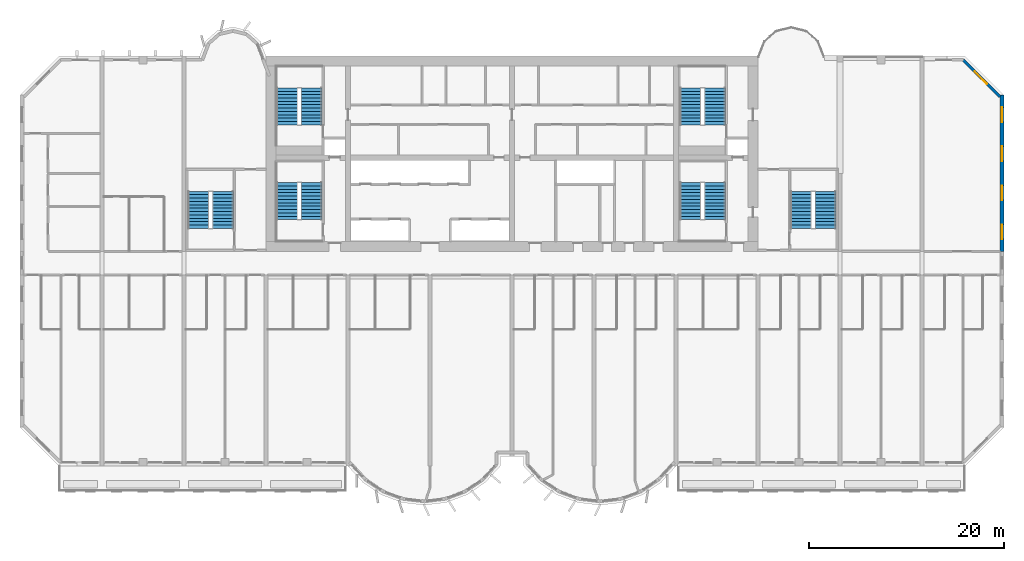
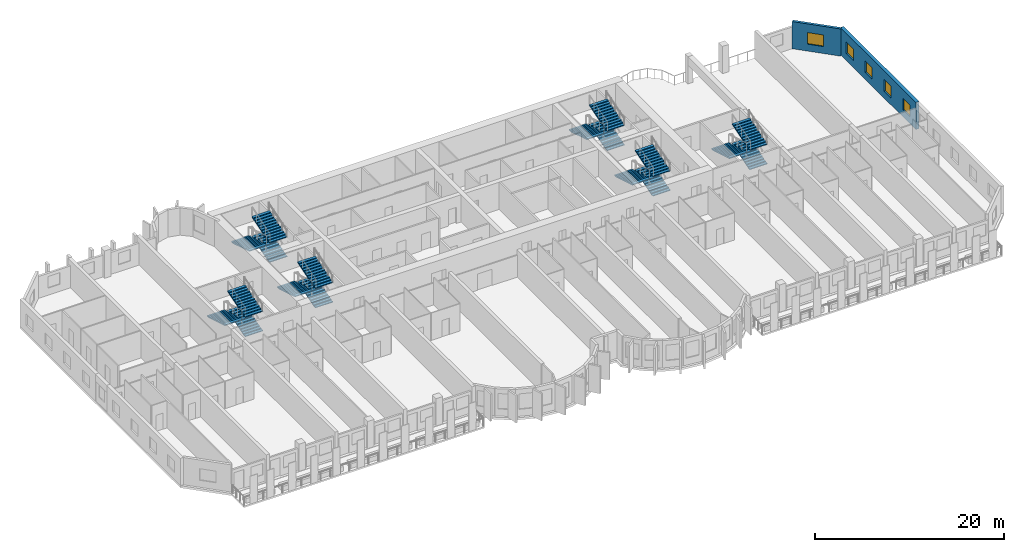
# One storey, part 11 of 14: 18 stair flights, 5 windows, 2 walls, 5 openings, 6 elements without a shape of their own.
"""IFC4 building model written with IfcOpenShell, lengths in metres."""

from ifc_helpers import new_model, si_unit, direction, frame, frame_2d, origin, place, context, subcontext, project, spatial, polyline, rectangle, outline, extrude, source, transform, mapped, material, layer, layer_set, type_object, element, fill, aggregate, save


model = new_model("IFC4")

# Units and contexts
model_context = context("Model", 3, precision=1e-05, world=origin(), true_north=direction((0.0, 1.0)))
body_context = subcontext(model_context, "Body", "Model", "MODEL_VIEW")
ifc_project = project(units=[si_unit("LENGTHUNIT", "METRE"), si_unit("AREAUNIT", "SQUARE_METRE"), si_unit("VOLUMEUNIT", "CUBIC_METRE"), si_unit("PLANEANGLEUNIT", "RADIAN"), si_unit("MASSUNIT", "GRAM", prefix="KILO")], contexts=[model_context])

# Site, building, storey
site_placement = place(None, origin())
site = spatial("IfcSite", under=ifc_project, at=site_placement, CompositionType="ELEMENT")
building_placement = place(site_placement, origin())
building = spatial("IfcBuilding", under=site, at=building_placement, Name="Vanashikhar Sky Hotel", CompositionType="ELEMENT")
storey_placement = place(building_placement, frame((0.0, 0.0, 58.199951171875)))
storey = spatial("IfcBuildingStorey", under=building, at=storey_placement, Name="L13", CompositionType="ELEMENT", Elevation=58.199951171875)

# Wall, openings, windows
ifc_material_1 = material(Name="Concrete M80", Category="concrete")
ifc_layer_1 = layer(ifc_material_1, 0.39990234375)
ifc_layer_set_1 = layer_set([ifc_layer_1], Name="RC shear wall 400 Concrete M80")
wall_type_1 = type_object("IfcWallType", Name="RC shear wall 400 Concrete M80", PredefinedType="SHEAR", material=ifc_layer_set_1)
shared_shape_1 = source(origin(), body_context, "Body", "SweptSolid", [
    extrude(rectangle(XDim=16.0, YDim=0.39990234375, at=frame_2d((8.0, 0.0))), origin(), (0.0, 0.0, 1.0), 3.52001953125),
])
wall_1_placement = place(storey_placement, frame((100.60009765625, 22.0, 0.0), z_axis=(0.0, 0.0, 1.0), x_axis=(0.0, 1.0, 0.0)))
wall_1 = element("IfcWall", 1, at=wall_1_placement, inside=storey, type_object=wall_type_1, Name="CW-L13-XW13-2", PredefinedType="SHEAR", context=body_context, shape_type="MappedRepresentation", body=[
    mapped(shared_shape_1, transform((0.0, 0.0, 0.0), scale=1.0)),
])
shared_shape_2 = source(origin(), body_context, "Body", "SweptSolid", [
    extrude(rectangle(XDim=1.5, YDim=1.5, at=frame_2d((0.75, 0.75))), frame((0.0, 0.2099609375, 0.0), z_axis=(0.0, -1.0, 0.0), x_axis=(1.0, 0.0, 0.0)), (0.0, 0.0, 1.0), 0.419921875),
])
opening_1_placement = place(wall_1_placement, frame((1.25, 0.0, 0.89990234375)))
opening_1 = element("IfcOpeningElement", 2, at=opening_1_placement, cuts=wall_1, Name="Opening WN-1", PredefinedType="OPENING", context=body_context, shape_type="MappedRepresentation", body=[
    mapped(shared_shape_2, transform((0.0, 0.0, 0.0), scale=1.0)),
])
opening_2_placement = place(wall_1_placement, frame((5.25, 0.0, 0.89990234375)))
opening_2 = element("IfcOpeningElement", 3, at=opening_2_placement, cuts=wall_1, Name="Opening WN-1", PredefinedType="OPENING", context=body_context, shape_type="MappedRepresentation", body=[
    mapped(shared_shape_2, transform((0.0, 0.0, 0.0), scale=1.0)),
])
opening_3_placement = place(wall_1_placement, frame((9.25, 0.0, 0.89990234375)))
opening_3 = element("IfcOpeningElement", 4, at=opening_3_placement, cuts=wall_1, Name="Opening WN-1", PredefinedType="OPENING", context=body_context, shape_type="MappedRepresentation", body=[
    mapped(shared_shape_2, transform((0.0, 0.0, 0.0), scale=1.0)),
])
opening_4_placement = place(wall_1_placement, frame((13.25, 0.0, 0.89990234375)))
opening_4 = element("IfcOpeningElement", 5, at=opening_4_placement, cuts=wall_1, Name="Opening WN-1", PredefinedType="OPENING", context=body_context, shape_type="MappedRepresentation", body=[
    mapped(shared_shape_2, transform((0.0, 0.0, 0.0), scale=1.0)),
])
ifc_material_2 = material(Name="Glass", Category="glass")
window_type_1 = type_object("IfcWindowType", Name="Window 1500 x 1500", PartitioningType="SINGLE_PANEL", PredefinedType="WINDOW", material=ifc_material_2)
shared_shape_3 = source(origin(), body_context, "Body", "SweptSolid", [
    extrude(rectangle(XDim=1.5, YDim=1.5, at=frame_2d((0.75, 0.75))), frame((0.0, 0.030029296875, 0.0), z_axis=(0.0, -1.0, 0.0), x_axis=(1.0, 0.0, 0.0)), (0.0, 0.0, 1.0), 0.06005859375),
])
window_1_placement = place(opening_1_placement, origin())
window_1 = element("IfcWindow", 6, at=window_1_placement, inside=storey, type_object=window_type_1, Name="Window WN-1", OverallHeight=1.5, OverallWidth=1.5, PartitioningType="SINGLE_PANEL", PredefinedType="WINDOW", context=body_context, shape_type="MappedRepresentation", body=[
    mapped(shared_shape_3, transform((0.0, 0.0, 0.0), scale=1.0)),
])
fill(opening_1, window_1)
window_2_placement = place(opening_2_placement, origin())
window_2 = element("IfcWindow", 7, at=window_2_placement, inside=storey, type_object=window_type_1, Name="Window WN-1", OverallHeight=1.5, OverallWidth=1.5, PartitioningType="SINGLE_PANEL", PredefinedType="WINDOW", context=body_context, shape_type="MappedRepresentation", body=[
    mapped(shared_shape_3, transform((0.0, 0.0, 0.0), scale=1.0)),
])
fill(opening_2, window_2)
window_3_placement = place(opening_3_placement, origin())
window_3 = element("IfcWindow", 8, at=window_3_placement, inside=storey, type_object=window_type_1, Name="Window WN-1", OverallHeight=1.5, OverallWidth=1.5, PartitioningType="SINGLE_PANEL", PredefinedType="WINDOW", context=body_context, shape_type="MappedRepresentation", body=[
    mapped(shared_shape_3, transform((0.0, 0.0, 0.0), scale=1.0)),
])
fill(opening_3, window_3)
window_4_placement = place(opening_4_placement, origin())
window_4 = element("IfcWindow", 9, at=window_4_placement, inside=storey, type_object=window_type_1, Name="Window WN-1", OverallHeight=1.5, OverallWidth=1.5, PartitioningType="SINGLE_PANEL", PredefinedType="WINDOW", context=body_context, shape_type="MappedRepresentation", body=[
    mapped(shared_shape_3, transform((0.0, 0.0, 0.0), scale=1.0)),
])
fill(opening_4, window_4)

# Wall, opening, window
ifc_material_3 = material(Name="Concrete M50", Category="concrete")
ifc_layer_2 = layer(ifc_material_3, 0.300048828125)
ifc_layer_set_2 = layer_set([ifc_layer_2], Name="Lobe wall 300")
wall_type_2 = type_object("IfcWallType", Name="Lobe wall 300", PredefinedType="SOLIDWALL", material=ifc_layer_set_2)
shared_shape_4 = source(origin(), body_context, "Body", "SweptSolid", [
    extrude(rectangle(XDim=5.32568359375, YDim=0.300048828125, at=frame_2d((2.662841796875, 0.0))), origin(), (0.0, 0.0, 1.0), 3.52001953125),
])
wall_2_placement = place(storey_placement, frame((100.39990234375, 37.834228515625, 0.0), z_axis=(0.0, 0.0, 1.0), x_axis=(-0.707083859269, 0.707129702361, 0.0)))
wall_2 = element("IfcWall", 10, at=wall_2_placement, inside=storey, type_object=wall_type_2, Name="Corner wall", PredefinedType="SOLIDWALL", context=body_context, shape_type="MappedRepresentation", body=[
    mapped(shared_shape_4, transform((0.0, 0.0, 0.0), scale=1.0)),
])
shared_shape_5 = source(origin(), body_context, "Body", "SweptSolid", [
    extrude(rectangle(XDim=1.800048828125, YDim=1.5, at=frame_2d((0.89990234375, 0.75))), frame((0.0, 0.16015625, 0.0), z_axis=(0.0, -1.0, 0.0), x_axis=(1.0, 0.0, 0.0)), (0.0, 0.0, 1.0), 0.320068359375),
])
opening_5_placement = place(wall_2_placement, frame((1.871337890625, 0.0, 0.89990234375)))
opening_5 = element("IfcOpeningElement", 11, at=opening_5_placement, cuts=wall_2, Name="Opening WN-4", PredefinedType="OPENING", context=body_context, shape_type="MappedRepresentation", body=[
    mapped(shared_shape_5, transform((0.0, 0.0, 0.0), scale=1.0)),
])
window_type_2 = type_object("IfcWindowType", Name="Corner window 1800 x 1500", PartitioningType="SINGLE_PANEL", PredefinedType="WINDOW", material=ifc_material_2)
shared_shape_6 = source(origin(), body_context, "Body", "SweptSolid", [
    extrude(rectangle(XDim=1.800048828125, YDim=1.5, at=frame_2d((0.89990234375, 0.75))), frame((0.0, 0.030029296875, 0.0), z_axis=(0.0, -1.0, 0.0), x_axis=(1.0, 0.0, 0.0)), (0.0, 0.0, 1.0), 0.06005859375),
])
window_5_placement = place(opening_5_placement, origin())
window_5 = element("IfcWindow", 12, at=window_5_placement, inside=storey, type_object=window_type_2, Name="Window WN-4", OverallHeight=1.5, OverallWidth=1.800048828125, PartitioningType="SINGLE_PANEL", PredefinedType="WINDOW", context=body_context, shape_type="MappedRepresentation", body=[
    mapped(shared_shape_6, transform((0.0, 0.0, 0.0), scale=1.0)),
])
fill(opening_5, window_5)

# Stair, stair flights
ifc_material_4 = material(Name="Concrete M40", Category="concrete")
stair_type = type_object("IfcStairType", Name="Exit stair 2150", PredefinedType="DOUBLE_RETURN_STAIR", material=ifc_material_4)
stair_1_placement = place(storey_placement, origin())
stair_1 = element("IfcStair", 13, at=stair_1_placement, inside=storey, type_object=stair_type, Name="L13 Exit stair 1", PredefinedType="DOUBLE_RETURN_STAIR")
stair_flight_type = type_object("IfcStairFlightType", Name="Stair flight 2150", PredefinedType="STRAIGHT", material=ifc_material_4)
shared_shape_7 = source(origin(), body_context, "Body", "SweptSolid", [
    extrude(outline(polyline([(0.0, 0.0), (0.0, 0.10546875), (0.345458984375, 0.10546875), (0.345458984375, 0.211181640625), (0.69091796875, 0.211181640625), (0.69091796875, 0.316650390625), (1.036376953125, 0.316650390625), (1.036376953125, 0.422119140625), (1.3818359375, 0.422119140625), (1.3818359375, 0.52783203125), (1.727294921875, 0.52783203125), (1.727294921875, 0.63330078125), (2.07275390625, 0.63330078125), (2.07275390625, 0.73876953125), (2.418212890625, 0.73876953125), (2.418212890625, 0.844482421875), (2.763671875, 0.844482421875), (2.763671875, 0.949951171875), (3.109130859375, 0.949951171875), (3.109130859375, 1.0556640625), (3.45458984375, 1.0556640625), (3.45458984375, 1.1611328125), (3.800048828125, 1.1611328125), (3.800048828125, 1.2666015625), (3.800048828125, 1.035400390625), (0.4111328125, 0.0), (0.0, 0.0)])), frame((0.0, 1.074951171875, 0.0), z_axis=(0.0, -1.0, 0.0), x_axis=(1.0, 0.0, 0.0)), (0.0, 0.0, 1.0), 2.14990234375),
])
stair_flight_1_placement = place(storey_placement, frame((29.875, 25.25, 0.0), z_axis=(0.0, 0.0, 1.0), x_axis=(0.0, 1.0, 0.0)))
stair_flight_1 = element("IfcStairFlight", 14, at=stair_flight_1_placement, type_object=stair_flight_type, Name="ST-C1 flight 1", NumberOfRisers=12, NumberOfTreads=11, PredefinedType="STRAIGHT", RiserHeight=0.105555556, TreadLength=0.345454545, context=body_context, shape_type="MappedRepresentation", body=[
    mapped(shared_shape_7, transform((0.0, 0.0, 0.0), scale=1.0)),
])
stair_flight_2_placement = place(storey_placement, frame((27.375, 29.050048828125, 1.2666015625), z_axis=(0.0, 0.0, 1.0), x_axis=(0.0, -1.0, 0.0)))
stair_flight_2 = element("IfcStairFlight", 15, at=stair_flight_2_placement, type_object=stair_flight_type, Name="ST-C1 flight 2", NumberOfRisers=12, NumberOfTreads=11, PredefinedType="STRAIGHT", RiserHeight=0.105555556, TreadLength=0.345454545, context=body_context, shape_type="MappedRepresentation", body=[
    mapped(shared_shape_7, transform((0.0, 0.0, 0.0), scale=1.0)),
])
stair_flight_3_placement = place(storey_placement, frame((29.875, 25.25, 2.533447265625), z_axis=(0.0, 0.0, 1.0), x_axis=(0.0, 1.0, 0.0)))
stair_flight_3 = element("IfcStairFlight", 16, at=stair_flight_3_placement, type_object=stair_flight_type, Name="ST-C1 flight 3", NumberOfRisers=12, NumberOfTreads=11, PredefinedType="STRAIGHT", RiserHeight=0.105555556, TreadLength=0.345454545, context=body_context, shape_type="MappedRepresentation", body=[
    mapped(shared_shape_7, transform((0.0, 0.0, 0.0), scale=1.0)),
])
aggregate(stair_1, [stair_flight_1, stair_flight_2, stair_flight_3])

stair_2_placement = place(storey_placement, origin())
stair_2 = element("IfcStair", 17, at=stair_2_placement, inside=storey, type_object=stair_type, Name="L13 Exit stair 2", PredefinedType="DOUBLE_RETURN_STAIR")
stair_flight_4_placement = place(storey_placement, frame((71.175048828125, 25.25, 0.0), z_axis=(0.0, 0.0, 1.0), x_axis=(0.0, 1.0, 0.0)))
stair_flight_4 = element("IfcStairFlight", 18, at=stair_flight_4_placement, type_object=stair_flight_type, Name="ST-C2 flight 1", NumberOfRisers=12, NumberOfTreads=11, PredefinedType="STRAIGHT", RiserHeight=0.105555556, TreadLength=0.345454545, context=body_context, shape_type="MappedRepresentation", body=[
    mapped(shared_shape_7, transform((0.0, 0.0, 0.0), scale=1.0)),
])
stair_flight_5_placement = place(storey_placement, frame((68.675048828125, 29.050048828125, 1.2666015625), z_axis=(0.0, 0.0, 1.0), x_axis=(0.0, -1.0, 0.0)))
stair_flight_5 = element("IfcStairFlight", 19, at=stair_flight_5_placement, type_object=stair_flight_type, Name="ST-C2 flight 2", NumberOfRisers=12, NumberOfTreads=11, PredefinedType="STRAIGHT", RiserHeight=0.105555556, TreadLength=0.345454545, context=body_context, shape_type="MappedRepresentation", body=[
    mapped(shared_shape_7, transform((0.0, 0.0, 0.0), scale=1.0)),
])
stair_flight_6_placement = place(storey_placement, frame((71.175048828125, 25.25, 2.533447265625), z_axis=(0.0, 0.0, 1.0), x_axis=(0.0, 1.0, 0.0)))
stair_flight_6 = element("IfcStairFlight", 20, at=stair_flight_6_placement, type_object=stair_flight_type, Name="ST-C2 flight 3", NumberOfRisers=12, NumberOfTreads=11, PredefinedType="STRAIGHT", RiserHeight=0.105555556, TreadLength=0.345454545, context=body_context, shape_type="MappedRepresentation", body=[
    mapped(shared_shape_7, transform((0.0, 0.0, 0.0), scale=1.0)),
])
aggregate(stair_2, [stair_flight_4, stair_flight_5, stair_flight_6])

stair_3_placement = place(storey_placement, origin())
stair_3 = element("IfcStair", 21, at=stair_3_placement, inside=storey, type_object=stair_type, Name="L13 Exit stair 3", PredefinedType="DOUBLE_RETURN_STAIR")
stair_flight_7_placement = place(storey_placement, frame((20.77490234375, 24.35009765625, 0.0), z_axis=(0.0, 0.0, 1.0), x_axis=(0.0, 1.0, 0.0)))
stair_flight_7 = element("IfcStairFlight", 22, at=stair_flight_7_placement, type_object=stair_flight_type, Name="ST-W flight 1", NumberOfRisers=12, NumberOfTreads=11, PredefinedType="STRAIGHT", RiserHeight=0.105555556, TreadLength=0.345454545, context=body_context, shape_type="MappedRepresentation", body=[
    mapped(shared_shape_7, transform((0.0, 0.0, 0.0), scale=1.0)),
])
stair_flight_8_placement = place(storey_placement, frame((18.27490234375, 28.14990234375, 1.2666015625), z_axis=(0.0, 0.0, 1.0), x_axis=(0.0, -1.0, 0.0)))
stair_flight_8 = element("IfcStairFlight", 23, at=stair_flight_8_placement, type_object=stair_flight_type, Name="ST-W flight 2", NumberOfRisers=12, NumberOfTreads=11, PredefinedType="STRAIGHT", RiserHeight=0.105555556, TreadLength=0.345454545, context=body_context, shape_type="MappedRepresentation", body=[
    mapped(shared_shape_7, transform((0.0, 0.0, 0.0), scale=1.0)),
])
stair_flight_9_placement = place(storey_placement, frame((20.77490234375, 24.35009765625, 2.533447265625), z_axis=(0.0, 0.0, 1.0), x_axis=(0.0, 1.0, 0.0)))
stair_flight_9 = element("IfcStairFlight", 24, at=stair_flight_9_placement, type_object=stair_flight_type, Name="ST-W flight 3", NumberOfRisers=12, NumberOfTreads=11, PredefinedType="STRAIGHT", RiserHeight=0.105555556, TreadLength=0.345454545, context=body_context, shape_type="MappedRepresentation", body=[
    mapped(shared_shape_7, transform((0.0, 0.0, 0.0), scale=1.0)),
])
aggregate(stair_3, [stair_flight_7, stair_flight_8, stair_flight_9])

stair_4_placement = place(storey_placement, origin())
stair_4 = element("IfcStair", 25, at=stair_4_placement, inside=storey, type_object=stair_type, Name="L13 Exit stair 4", PredefinedType="DOUBLE_RETURN_STAIR")
stair_flight_10_placement = place(storey_placement, frame((82.52490234375, 24.35009765625, 0.0), z_axis=(0.0, 0.0, 1.0), x_axis=(0.0, 1.0, 0.0)))
stair_flight_10 = element("IfcStairFlight", 26, at=stair_flight_10_placement, type_object=stair_flight_type, Name="ST-E flight 1", NumberOfRisers=12, NumberOfTreads=11, PredefinedType="STRAIGHT", RiserHeight=0.105555556, TreadLength=0.345454545, context=body_context, shape_type="MappedRepresentation", body=[
    mapped(shared_shape_7, transform((0.0, 0.0, 0.0), scale=1.0)),
])
stair_flight_11_placement = place(storey_placement, frame((80.02490234375, 28.14990234375, 1.2666015625), z_axis=(0.0, 0.0, 1.0), x_axis=(0.0, -1.0, 0.0)))
stair_flight_11 = element("IfcStairFlight", 27, at=stair_flight_11_placement, type_object=stair_flight_type, Name="ST-E flight 2", NumberOfRisers=12, NumberOfTreads=11, PredefinedType="STRAIGHT", RiserHeight=0.105555556, TreadLength=0.345454545, context=body_context, shape_type="MappedRepresentation", body=[
    mapped(shared_shape_7, transform((0.0, 0.0, 0.0), scale=1.0)),
])
stair_flight_12_placement = place(storey_placement, frame((82.52490234375, 24.35009765625, 2.533447265625), z_axis=(0.0, 0.0, 1.0), x_axis=(0.0, 1.0, 0.0)))
stair_flight_12 = element("IfcStairFlight", 28, at=stair_flight_12_placement, type_object=stair_flight_type, Name="ST-E flight 3", NumberOfRisers=12, NumberOfTreads=11, PredefinedType="STRAIGHT", RiserHeight=0.105555556, TreadLength=0.345454545, context=body_context, shape_type="MappedRepresentation", body=[
    mapped(shared_shape_7, transform((0.0, 0.0, 0.0), scale=1.0)),
])
aggregate(stair_4, [stair_flight_10, stair_flight_11, stair_flight_12])

stair_5_placement = place(storey_placement, origin())
stair_5 = element("IfcStair", 29, at=stair_5_placement, inside=storey, type_object=stair_type, Name="L13 Exit stair 5", PredefinedType="DOUBLE_RETURN_STAIR")
stair_flight_13_placement = place(storey_placement, frame((29.875, 34.949951171875, 0.0), z_axis=(0.0, 0.0, 1.0), x_axis=(0.0, 1.0, 0.0)))
stair_flight_13 = element("IfcStairFlight", 30, at=stair_flight_13_placement, type_object=stair_flight_type, Name="ST-C3 flight 1", NumberOfRisers=12, NumberOfTreads=11, PredefinedType="STRAIGHT", RiserHeight=0.105555556, TreadLength=0.345454545, context=body_context, shape_type="MappedRepresentation", body=[
    mapped(shared_shape_7, transform((0.0, 0.0, 0.0), scale=1.0)),
])
stair_flight_14_placement = place(storey_placement, frame((27.375, 38.75, 1.2666015625), z_axis=(0.0, 0.0, 1.0), x_axis=(0.0, -1.0, 0.0)))
stair_flight_14 = element("IfcStairFlight", 31, at=stair_flight_14_placement, type_object=stair_flight_type, Name="ST-C3 flight 2", NumberOfRisers=12, NumberOfTreads=11, PredefinedType="STRAIGHT", RiserHeight=0.105555556, TreadLength=0.345454545, context=body_context, shape_type="MappedRepresentation", body=[
    mapped(shared_shape_7, transform((0.0, 0.0, 0.0), scale=1.0)),
])
stair_flight_15_placement = place(storey_placement, frame((29.875, 34.949951171875, 2.533447265625), z_axis=(0.0, 0.0, 1.0), x_axis=(0.0, 1.0, 0.0)))
stair_flight_15 = element("IfcStairFlight", 32, at=stair_flight_15_placement, type_object=stair_flight_type, Name="ST-C3 flight 3", NumberOfRisers=12, NumberOfTreads=11, PredefinedType="STRAIGHT", RiserHeight=0.105555556, TreadLength=0.345454545, context=body_context, shape_type="MappedRepresentation", body=[
    mapped(shared_shape_7, transform((0.0, 0.0, 0.0), scale=1.0)),
])
aggregate(stair_5, [stair_flight_13, stair_flight_14, stair_flight_15])

stair_6_placement = place(storey_placement, origin())
stair_6 = element("IfcStair", 33, at=stair_6_placement, inside=storey, type_object=stair_type, Name="L13 Exit stair 6", PredefinedType="DOUBLE_RETURN_STAIR")
stair_flight_16_placement = place(storey_placement, frame((71.175048828125, 34.949951171875, 0.0), z_axis=(0.0, 0.0, 1.0), x_axis=(0.0, 1.0, 0.0)))
stair_flight_16 = element("IfcStairFlight", 34, at=stair_flight_16_placement, type_object=stair_flight_type, Name="ST-C4 flight 1", NumberOfRisers=12, NumberOfTreads=11, PredefinedType="STRAIGHT", RiserHeight=0.105555556, TreadLength=0.345454545, context=body_context, shape_type="MappedRepresentation", body=[
    mapped(shared_shape_7, transform((0.0, 0.0, 0.0), scale=1.0)),
])
stair_flight_17_placement = place(storey_placement, frame((68.675048828125, 38.75, 1.2666015625), z_axis=(0.0, 0.0, 1.0), x_axis=(0.0, -1.0, 0.0)))
stair_flight_17 = element("IfcStairFlight", 35, at=stair_flight_17_placement, type_object=stair_flight_type, Name="ST-C4 flight 2", NumberOfRisers=12, NumberOfTreads=11, PredefinedType="STRAIGHT", RiserHeight=0.105555556, TreadLength=0.345454545, context=body_context, shape_type="MappedRepresentation", body=[
    mapped(shared_shape_7, transform((0.0, 0.0, 0.0), scale=1.0)),
])
stair_flight_18_placement = place(storey_placement, frame((71.175048828125, 34.949951171875, 2.533447265625), z_axis=(0.0, 0.0, 1.0), x_axis=(0.0, 1.0, 0.0)))
stair_flight_18 = element("IfcStairFlight", 36, at=stair_flight_18_placement, type_object=stair_flight_type, Name="ST-C4 flight 3", NumberOfRisers=12, NumberOfTreads=11, PredefinedType="STRAIGHT", RiserHeight=0.105555556, TreadLength=0.345454545, context=body_context, shape_type="MappedRepresentation", body=[
    mapped(shared_shape_7, transform((0.0, 0.0, 0.0), scale=1.0)),
])
aggregate(stair_6, [stair_flight_16, stair_flight_17, stair_flight_18])

save(model, "model.ifc")
